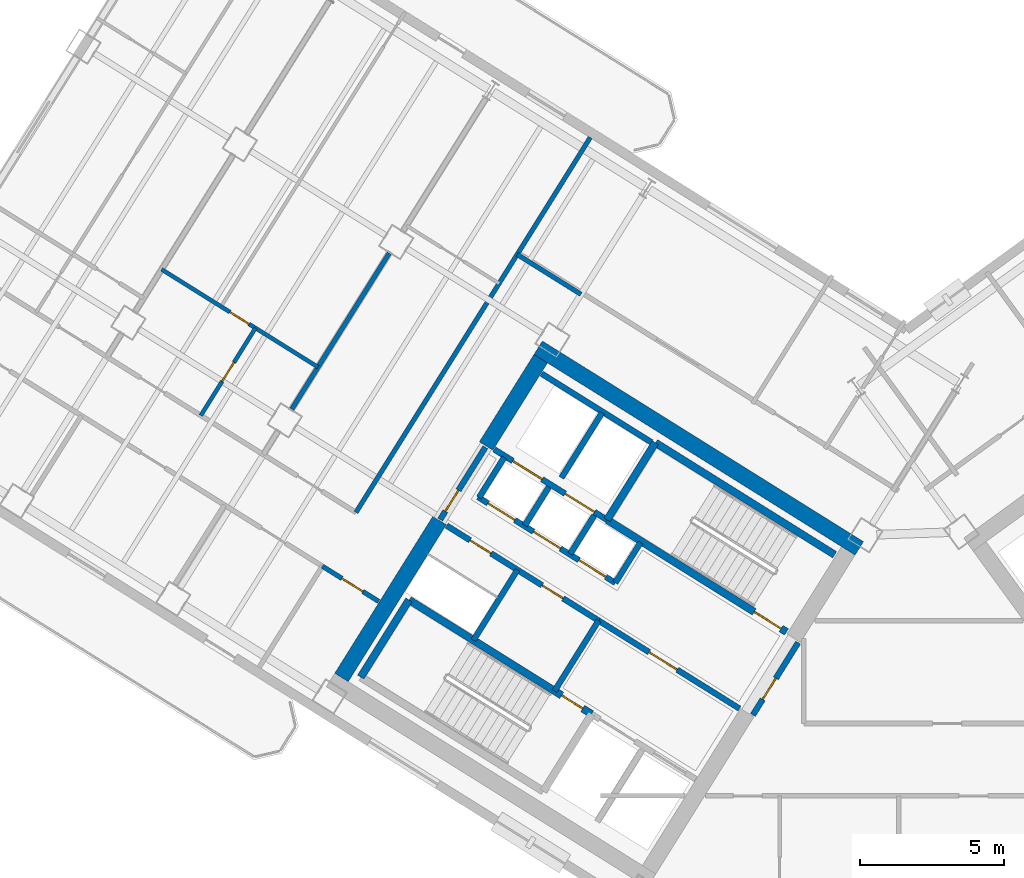
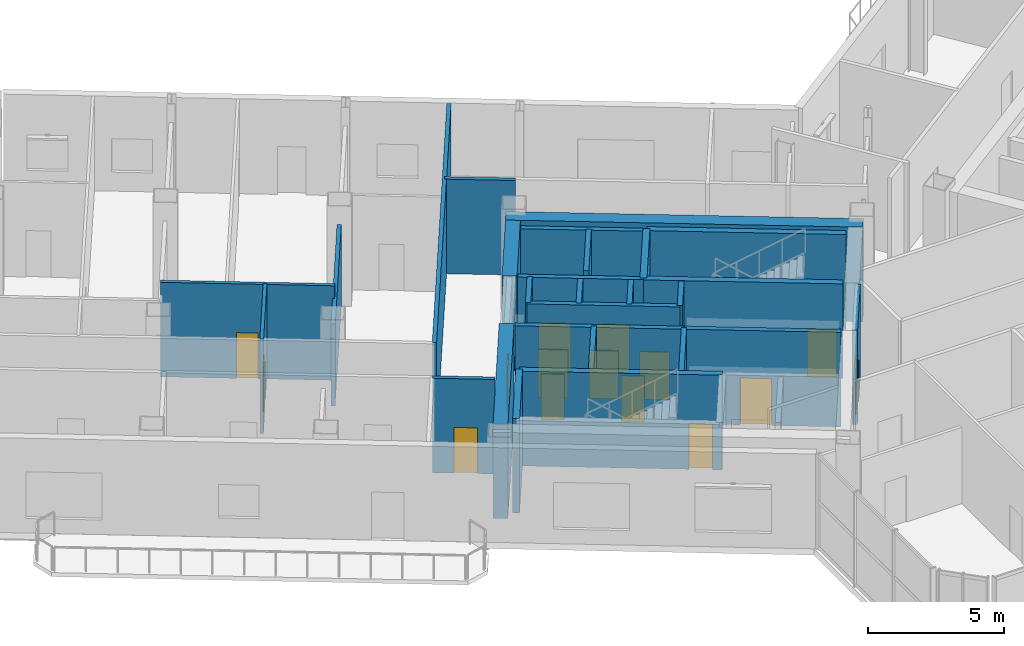
# One storey, part 12 of 21: 28 walls, 15 doors, 15 openings.
"""IFC4 building model written with IfcOpenShell, lengths in metres."""

import ifcopenshell
import ifcopenshell.guid

model = None  # the IFC model being written
_history = None  # IfcOwnerHistory: only IFC2X3 demands one
_inside = {}  # id of a spatial element -> (the spatial element, [elements in it])
_under = {}  # id of a project, library or spatial element -> (it, [spatial elements below it])
_declared = {}  # id of a project -> (the project, [libraries it declares])
_typed = {}  # id of a type object -> (the type object, [elements of that type])
_made_of = {}  # id of a material, layer set ... -> (it, [elements and type objects made of it])


def new_model(schema):
    """Start an empty IFC model of exactly this schema.

    Asked for "IFC4X3", IfcOpenShell would pick the latest addendum, in which some entities
    have other attributes; the version numbers below select the first issue.
    IFC2X3 requires an IfcOwnerHistory on every rooted entity: one is made here for all.
    """
    global model, _history
    if schema == "IFC4X3":
        model = ifcopenshell.file(schema_version=(4, 3, 0, 0))
    else:
        model = ifcopenshell.file(schema=schema)
    _inside.clear()
    _under.clear()
    _declared.clear()
    _typed.clear()
    _made_of.clear()
    _history = None
    if model.schema == "IFC2X3":
        org = make("IfcOrganization", Name="unknown")
        user = make(
            "IfcPersonAndOrganization",
            ThePerson=make("IfcPerson", FamilyName="unknown"),
            TheOrganization=org,
        )
        app = make(
            "IfcApplication",
            ApplicationDeveloper=org,
            Version="unknown",
            ApplicationFullName="unknown",
            ApplicationIdentifier="unknown",
        )
        _history = make(
            "IfcOwnerHistory",
            OwningUser=user,
            OwningApplication=app,
            ChangeAction="ADDED",
            CreationDate=0,
        )
    return model


def make(cls, **values):
    """One entity of the class cls with the attributes given. An attribute that is None is left unset."""
    return model.create_entity(
        cls, **{name: value for name, value in values.items() if value is not None}
    )


def rooted(cls, **values):
    """An entity with a GlobalId (a new one), such as an element, a storey or a relation."""
    return make(cls, GlobalId=ifcopenshell.guid.new(), OwnerHistory=_history, **values)


def si_unit(unit_type, name, prefix=None):
    """IfcSIUnit, for example si_unit("LENGTHUNIT", "METRE", prefix="MILLI")."""
    return make("IfcSIUnit", UnitType=unit_type, Prefix=prefix, Name=name)


def assignment(units):
    """IfcUnitAssignment: the units of a project."""
    return None if units is None else make("IfcUnitAssignment", Units=units)


def point(xyz):
    """IfcCartesianPoint."""
    return None if xyz is None else make("IfcCartesianPoint", Coordinates=xyz)


def direction(xyz):
    """IfcDirection."""
    return None if xyz is None else make("IfcDirection", DirectionRatios=xyz)


def frame(location, z_axis=None, x_axis=None):
    """IfcAxis2Placement3D, a coordinate frame: its origin and axes. An axis left out is left unset."""
    return make(
        "IfcAxis2Placement3D",
        Location=point(location),
        Axis=direction(z_axis),
        RefDirection=direction(x_axis),
    )


def frame_2d(location, x_axis=None):
    """IfcAxis2Placement2D, a coordinate frame in the plane: its origin and x axis."""
    return make(
        "IfcAxis2Placement2D", Location=point(location), RefDirection=direction(x_axis)
    )


def origin():
    """The frame at (0, 0, 0) with its axes left unset."""
    return frame((0.0, 0.0, 0.0))


def place(relative_to, where):
    """IfcLocalPlacement: puts the frame where relative to a parent placement (None: the world)."""
    return make(
        "IfcLocalPlacement", PlacementRelTo=relative_to, RelativePlacement=where
    )


def context(
    kind, dimensions, precision=None, world=None, true_north=None, identifier=None
):
    """IfcGeometricRepresentationContext, for example the 3D "Model" context."""
    return make(
        "IfcGeometricRepresentationContext",
        ContextIdentifier=identifier,
        ContextType=kind,
        CoordinateSpaceDimension=dimensions,
        Precision=precision,
        WorldCoordinateSystem=world,
        TrueNorth=true_north,
    )


def subcontext(parent, identifier, kind, view, scale=None):
    """IfcGeometricRepresentationSubContext, for example "Body" below "Model"."""
    return make(
        "IfcGeometricRepresentationSubContext",
        ContextIdentifier=identifier,
        ContextType=kind,
        ParentContext=parent,
        TargetScale=scale,
        TargetView=view,
    )


def project(units=None, contexts=None):
    """IfcProject with its units and contexts."""
    return rooted(
        "IfcProject",
        Name="project",
        RepresentationContexts=contexts,
        UnitsInContext=assignment(units),
    )


def spatial(cls, under=None, at=None, **own):
    """A site, building, storey or space (cls), placed at a placement, below another one or the project."""
    s = rooted(cls, ObjectPlacement=at, **own)
    if under is not None:
        _under.setdefault(under.id(), (under, []))[1].append(s)
    return s


def profile(cls, at=None, kind="AREA", **sizes):
    """A parametric profile (cls). Its sizes go by their IFC names, for example OverallWidth=200.0."""
    return make(cls, ProfileType=kind, Position=at, **sizes)


def rectangle(**sizes):
    """IfcRectangleProfileDef."""
    return profile("IfcRectangleProfileDef", **sizes)


def extrude(swept, where, along, depth):
    """IfcExtrudedAreaSolid: the profile swept, set in the frame where, extruded along a direction by depth."""
    return make(
        "IfcExtrudedAreaSolid",
        SweptArea=swept,
        Position=where,
        ExtrudedDirection=direction(along),
        Depth=depth,
    )


def shape(context_of_items, identifier, shape_type, items):
    """IfcShapeRepresentation: the items that make up one representation, for example the "Body"."""
    return make(
        "IfcShapeRepresentation",
        ContextOfItems=context_of_items,
        RepresentationIdentifier=identifier,
        RepresentationType=shape_type,
        Items=items,
    )


def source(mapping_origin, context_of_items, identifier, shape_type, items):
    """IfcRepresentationMap: a shape defined once, which mapped items show again and again."""
    return make(
        "IfcRepresentationMap",
        MappingOrigin=mapping_origin,
        MappedRepresentation=shape(context_of_items, identifier, shape_type, items),
    )


def transform(
    local_origin,
    x_axis=None,
    y_axis=None,
    z_axis=None,
    scale=None,
    scale2=None,
    scale3=None,
    uniform=True,
):
    """IfcCartesianTransformationOperator3D, or its non-uniform kind. x_axis, y_axis, z_axis: its Axis1, 2, 3."""
    if uniform:
        return make(
            "IfcCartesianTransformationOperator3D",
            Axis1=direction(x_axis),
            Axis2=direction(y_axis),
            LocalOrigin=point(local_origin),
            Scale=scale,
            Axis3=direction(z_axis),
        )
    return make(
        "IfcCartesianTransformationOperator3DnonUniform",
        Axis1=direction(x_axis),
        Axis2=direction(y_axis),
        LocalOrigin=point(local_origin),
        Scale=scale,
        Axis3=direction(z_axis),
        Scale2=scale2,
        Scale3=scale3,
    )


def mapped(mapping_source, mapping_target):
    """IfcMappedItem: shows the shape of a source again, moved by a transform."""
    return make(
        "IfcMappedItem", MappingSource=mapping_source, MappingTarget=mapping_target
    )


def material(Name=None, Category=None):
    """IfcMaterial."""
    return make("IfcMaterial", Name=Name, Category=Category)


def layer(
    of_material, thickness, ventilated=None, Name=None, Category=None, Priority=None
):
    """IfcMaterialLayer: one layer of a wall or slab, of a material (None: an air gap)."""
    return make(
        "IfcMaterialLayer",
        Material=of_material,
        LayerThickness=thickness,
        IsVentilated=ventilated,
        Name=Name,
        Category=Category,
        Priority=Priority,
    )


def layer_set(layers, Name=None):
    """IfcMaterialLayerSet."""
    return make("IfcMaterialLayerSet", MaterialLayers=layers, LayerSetName=Name)


def made_of(thing, what):
    """Note that an element or type object is made of a material, layer set ...; save() writes the relation."""
    if what is not None:
        _made_of.setdefault(what.id(), (what, []))[1].append(thing)
    return thing


def type_object(cls, material=None, **own):
    """A type object (cls), such as IfcWallType, which elements share."""
    return made_of(rooted(cls, **own), material)


def element(
    cls,
    number,
    at=None,
    inside=None,
    cuts=None,
    type_object=None,
    material=None,
    context=None,
    identifier="Body",
    shape_type=None,
    held_by="IfcProductDefinitionShape",
    body=None,
    shapes=None,
    **own,
):
    """One element of the class cls, such as IfcWall. Its Tag is "e" and its number.

    at: its placement. inside: the storey or other place that contains it. cuts: it is an
    opening in that element (IfcRelVoidsElement). A single representation is given by context,
    identifier, shape_type and body (its items); several are given by shapes. held_by: the class
    of the entity that holds the representations. save() writes the other relations.
    """
    e = rooted(cls, Tag="e%d" % number, ObjectPlacement=at, **own)
    if body is not None:
        shapes = [shape(context, identifier, shape_type, body)]
    if shapes is not None:
        e.Representation = make(held_by, Representations=shapes)
    if inside is not None:
        _inside.setdefault(inside.id(), (inside, []))[1].append(e)
    if cuts is not None:
        rooted(
            "IfcRelVoidsElement", RelatingBuildingElement=cuts, RelatedOpeningElement=e
        )
    if type_object is not None:
        _typed.setdefault(type_object.id(), (type_object, []))[1].append(e)
    return made_of(e, material)


def fill(opening, filler):
    """IfcRelFillsElement: the door or window that sits in an opening."""
    return rooted(
        "IfcRelFillsElement",
        RelatingOpeningElement=opening,
        RelatedBuildingElement=filler,
    )


def aggregate(whole, parts):
    """IfcRelAggregates: a whole, such as a stair, and the parts it consists of."""
    return rooted("IfcRelAggregates", RelatingObject=whole, RelatedObjects=parts)


def save(model, path):
    """Write the relations noted so far, then the file.

    IfcRelAggregates (storeys below a building ...), IfcRelContainedInSpatialStructure (elements
    in a storey), IfcRelDefinesByType, IfcRelAssociatesMaterial and IfcRelDeclares: one each for
    every whole, place, type object, material and project.
    """
    for whole, parts in _under.values():
        aggregate(whole, parts)
    for where, things in _inside.values():
        rooted(
            "IfcRelContainedInSpatialStructure",
            RelatedElements=things,
            RelatingStructure=where,
        )
    for kind, things in _typed.values():
        rooted("IfcRelDefinesByType", RelatedObjects=things, RelatingType=kind)
    for what, things in _made_of.values():
        rooted("IfcRelAssociatesMaterial", RelatedObjects=things, RelatingMaterial=what)
    for by, libraries in _declared.values():
        rooted("IfcRelDeclares", RelatingContext=by, RelatedDefinitions=libraries)
    model.write(path)


model = new_model("IFC4")

# Units and contexts
model_context = context("Model", 3, precision=1e-05, world=origin(), true_north=direction((0.0, 1.0)))
body_context = subcontext(model_context, "Body", "Model", "MODEL_VIEW")
ifc_project = project(units=[si_unit("LENGTHUNIT", "METRE"), si_unit("AREAUNIT", "SQUARE_METRE"), si_unit("VOLUMEUNIT", "CUBIC_METRE"), si_unit("PLANEANGLEUNIT", "RADIAN"), si_unit("MASSUNIT", "GRAM", prefix="KILO")], contexts=[model_context])

# Site, building, storey
site_placement = place(None, origin())
site = spatial("IfcSite", under=ifc_project, at=site_placement, CompositionType="ELEMENT")
building_placement = place(site_placement, origin())
building = spatial("IfcBuilding", under=site, at=building_placement, Name="Tlacorven Tower", CompositionType="ELEMENT")
storey_placement = place(building_placement, frame((0.0, 0.0, 100.800048828125)))
storey = spatial("IfcBuildingStorey", under=building, at=storey_placement, Name="L25", CompositionType="ELEMENT", Elevation=100.800048828125)

# Walls
ifc_material_1 = material(Name="Concrete C60/75", Category="concrete")
ifc_layer_1 = layer(ifc_material_1, 0.550048828125)
ifc_layer_set_1 = layer_set([ifc_layer_1], Name="Concrete C60/75")
wall_type_1 = type_object("IfcWallType", Name="WL-COR-550", PredefinedType="SHEAR", material=ifc_layer_set_1)
wall_1_placement = place(storey_placement, frame((40.572998046875, 24.010009765625, 0.0), z_axis=(0.0, 0.0, 1.0), x_axis=(-0.848047359947, 0.529920442413, 0.0)))
element("IfcWall", 1, at=wall_1_placement, inside=storey, type_object=wall_type_1, Name="L25 W core shear wall S1", PredefinedType="SHEAR", context=body_context, shape_type="SweptSolid", body=[
    extrude(rectangle(XDim=13.139892578125, YDim=0.550048828125, at=frame_2d((6.56982421875, 0.0))), origin(), (0.0, 0.0, 1.0), 4.25),
])
wall_2_placement = place(storey_placement, frame((29.517333984375, 30.59423828125, 0.0), z_axis=(0.0, 0.0, 1.0), x_axis=(-0.529906864564, -0.848055844204, 0.0)))
element("IfcWall", 2, at=wall_2_placement, inside=storey, type_object=wall_type_1, Name="L25 W core end wall E2.1", PredefinedType="SHEAR", context=body_context, shape_type="SweptSolid", body=[
    extrude(rectangle(XDim=3.5751953125, YDim=0.550048828125, at=frame_2d((1.78759765625, 0.0))), origin(), (0.0, 0.0, 1.0), 4.25),
])
wall_3_placement = place(storey_placement, frame((26.006591796875, 24.975830078125, 0.0), z_axis=(0.0, 0.0, 1.0), x_axis=(-0.529923795287, -0.848045264823, 0.0)))
element("IfcWall", 3, at=wall_3_placement, inside=storey, type_object=wall_type_1, Name="L25 W core end wall E2.2", PredefinedType="SHEAR", context=body_context, shape_type="SweptSolid", body=[
    extrude(rectangle(XDim=6.425048828125, YDim=0.550048828125, at=frame_2d((3.21240234375, 0.0))), origin(), (0.0, 0.0, 1.0), 4.25),
])
ifc_material_2 = material(Name="Gypsum plasterboard acoustic partition", Category="gypsum")
ifc_layer_2 = layer(ifc_material_2, 0.159912109375)
ifc_layer_set_2 = layer_set([ifc_layer_2], Name="Gypsum plasterboard acoustic partition")
wall_type_2 = type_object("IfcWallType", Name="WL-DEM-160", PredefinedType="PARTITIONING", material=ifc_layer_set_2)
wall_4_placement = place(storey_placement, frame((30.91357421875, 32.82861328125, 0.0), z_axis=(0.0, 0.0, 1.0), x_axis=(-0.848008813643, 0.529982124211, 0.0)))
element("IfcWall", 4, at=wall_4_placement, inside=storey, type_object=wall_type_2, Name="L25 partition 47", PredefinedType="PARTITIONING", context=body_context, shape_type="SweptSolid", body=[
    extrude(rectangle(XDim=2.610107421875, YDim=0.159912109375, at=frame_2d((1.30517578125, 0.0))), origin(), (0.0, 0.0, 1.0), 4.239990234375),
])

# Wall, opening, door
wall_5_placement = place(storey_placement, frame((23.895751953125, 22.167724609375, 0.0), z_axis=(0.0, 0.0, 1.0), x_axis=(-0.848075553449, 0.529875320846, 0.0)))
wall_5 = element("IfcWall", 5, at=wall_5_placement, inside=storey, type_object=wall_type_2, Name="L25 partition 48", PredefinedType="PARTITIONING", context=body_context, shape_type="SweptSolid", body=[
    extrude(rectangle(XDim=2.307861328125, YDim=0.159912109375, at=frame_2d((1.15380859375, 0.0))), origin(), (0.0, 0.0, 1.0), 4.239990234375),
])
opening_1_placement = place(wall_5_placement, frame((0.64794921875, 0.0, 0.0)))
opening_1 = element("IfcOpeningElement", 6, at=opening_1_placement, cuts=wall_5, Name="Opening D19", PredefinedType="OPENING", context=body_context, shape_type="SweptSolid", body=[
    extrude(rectangle(XDim=0.860107421875, YDim=2.050048828125, at=frame_2d((0.43017578125, 1.02490234375))), frame((0.0, 0.08984375, 0.0), z_axis=(0.0, -1.0, 0.0), x_axis=(1.0, 0.0, 0.0)), (0.0, 0.0, 1.0), 0.179931640625),
])
ifc_material_3 = material(Name="Fire-rated steel door assembly", Category="steel")
door_type_1 = type_object("IfcDoorType", Name="DR-RSR-FD60-0860", OperationType="NOTDEFINED", PredefinedType="DOOR", material=ifc_material_3)
shared_shape_1 = source(origin(), body_context, "Body", "SweptSolid", [
    extrude(rectangle(XDim=0.860107421875, YDim=2.050048828125, at=frame_2d((0.43017578125, 1.02490234375))), frame((0.0, 0.02490234375, 0.0), z_axis=(0.0, -1.0, 0.0), x_axis=(1.0, 0.0, 0.0)), (0.0, 0.0, 1.0), 0.050048828125),
])
door_1_placement = place(opening_1_placement, origin())
door_1 = element("IfcDoor", 7, at=door_1_placement, inside=storey, type_object=door_type_1, Name="L25 door 025", OperationType="SINGLE_SWING_LEFT", OverallHeight=2.050048828125, OverallWidth=0.860107421875, PredefinedType="DOOR", context=body_context, shape_type="MappedRepresentation", body=[
    mapped(shared_shape_1, transform((0.0, 0.0, 0.0), scale=1.0)),
])
fill(opening_1, door_1)

# Walls
wall_6_placement = place(storey_placement, frame((31.238525390625, 38.27392578125, 0.0), z_axis=(0.0, 0.0, 1.0), x_axis=(-0.529918877109, -0.848048338059, 0.0)))
element("IfcWall", 8, at=wall_6_placement, inside=storey, type_object=wall_type_2, Name="L25 partition 49", PredefinedType="PARTITIONING", context=body_context, shape_type="SweptSolid", body=[
    extrude(rectangle(XDim=15.35009765625, YDim=0.159912109375, at=frame_2d((7.675048828125, 0.0))), origin(), (0.0, 0.0, 1.0), 4.239990234375),
])
wall_7_placement = place(storey_placement, frame((24.255615234375, 34.2509765625, 0.0), z_axis=(0.0, 0.0, 1.0), x_axis=(-0.529919772691, -0.848047778437, 0.0)))
element("IfcWall", 9, at=wall_7_placement, inside=storey, type_object=wall_type_2, Name="L25 WS Demising Wall 1", PredefinedType="PARTITIONING", context=body_context, shape_type="SweptSolid", body=[
    extrude(rectangle(XDim=6.375732421875, YDim=0.159912109375, at=frame_2d((3.18798828125, 0.0))), origin(), (0.0, 0.0, 1.0), 3.675048828125),
])

# Wall, opening, door
ifc_material_4 = material(Name="Moisture-resistant gypsum plumbing wall", Category="gypsum")
ifc_layer_3 = layer(ifc_material_4, 0.139892578125)
ifc_layer_set_3 = layer_set([ifc_layer_3], Name="Moisture-resistant gypsum plumbing wall")
wall_type_3 = type_object("IfcWallType", Name="WL-PLM-140", PredefinedType="PLUMBINGWALL", material=ifc_layer_set_3)
wall_8_placement = place(storey_placement, frame((21.787353515625, 30.30078125, 0.0), z_axis=(0.0, 0.0, 1.0), x_axis=(-0.848049732085, 0.529916646191, 0.0)))
wall_8 = element("IfcWall", 10, at=wall_8_placement, inside=storey, type_object=wall_type_3, Name="L25 partition 59", PredefinedType="PLUMBINGWALL", context=body_context, shape_type="SweptSolid", body=[
    extrude(rectangle(XDim=6.400146484375, YDim=0.139892578125, at=frame_2d((3.2001953125, 0.0))), origin(), (0.0, 0.0, 1.0), 4.239990234375),
])
opening_2_placement = place(wall_8_placement, frame((2.823974609375, 0.0, 0.0)))
opening_2 = element("IfcOpeningElement", 11, at=opening_2_placement, cuts=wall_8, Name="Opening D22", PredefinedType="OPENING", context=body_context, shape_type="SweptSolid", body=[
    extrude(rectangle(XDim=0.780029296875, YDim=2.050048828125, at=frame_2d((0.39013671875, 1.02490234375))), frame((0.0, 0.080078125, 0.0), z_axis=(0.0, -1.0, 0.0), x_axis=(1.0, 0.0, 0.0)), (0.0, 0.0, 1.0), 0.159912109375),
])
ifc_material_5 = material(Name="Powder-coated aluminium and timber door", Category="wood")
door_type_2 = type_object("IfcDoorType", Name="DR-INT-WET-0780", OperationType="NOTDEFINED", PredefinedType="DOOR", material=ifc_material_5)
shared_shape_2 = source(origin(), body_context, "Body", "SweptSolid", [
    extrude(rectangle(XDim=0.780029296875, YDim=2.050048828125, at=frame_2d((0.39013671875, 1.02490234375))), frame((0.0, 0.02490234375, 0.0), z_axis=(0.0, -1.0, 0.0), x_axis=(1.0, 0.0, 0.0)), (0.0, 0.0, 1.0), 0.050048828125),
])
door_2_placement = place(opening_2_placement, origin())
door_2 = element("IfcDoor", 12, at=door_2_placement, inside=storey, type_object=door_type_2, Name="L25 door 034", OperationType="SINGLE_SWING_LEFT", OverallHeight=2.050048828125, OverallWidth=0.780029296875, PredefinedType="DOOR", context=body_context, shape_type="MappedRepresentation", body=[
    mapped(shared_shape_2, transform((0.0, 0.0, 0.0), scale=1.0)),
])
fill(opening_2, door_2)

wall_9_placement = place(storey_placement, frame((19.6162109375, 31.657470703125, 0.0), z_axis=(0.0, 0.0, 1.0), x_axis=(-0.529876336437, -0.84807491891, 0.0)))
wall_9 = element("IfcWall", 13, at=wall_9_placement, inside=storey, type_object=wall_type_3, Name="L25 partition 60", PredefinedType="PLUMBINGWALL", context=body_context, shape_type="SweptSolid", body=[
    extrude(rectangle(XDim=3.580078125, YDim=0.139892578125, at=frame_2d((1.7900390625, 0.0))), origin(), (0.0, 0.0, 1.0), 4.239990234375),
])
opening_3_placement = place(wall_9_placement, frame((1.39990234375, 0.0, 0.0)))
opening_3 = element("IfcOpeningElement", 14, at=opening_3_placement, cuts=wall_9, Name="Opening D22", PredefinedType="OPENING", context=body_context, shape_type="SweptSolid", body=[
    extrude(rectangle(XDim=0.780029296875, YDim=2.050048828125, at=frame_2d((0.39013671875, 1.02490234375))), frame((0.0, 0.080078125, 0.0), z_axis=(0.0, -1.0, 0.0), x_axis=(1.0, 0.0, 0.0)), (0.0, 0.0, 1.0), 0.159912109375),
])
door_3_placement = place(opening_3_placement, origin())
door_3 = element("IfcDoor", 15, at=door_3_placement, inside=storey, type_object=door_type_2, Name="L25 door 035", OperationType="SINGLE_SWING_RIGHT", OverallHeight=2.050048828125, OverallWidth=0.780029296875, PredefinedType="DOOR", context=body_context, shape_type="MappedRepresentation", body=[
    mapped(shared_shape_2, transform((0.0, 0.0, 0.0), scale=1.0)),
])
fill(opening_3, door_3)

ifc_material_6 = material(Name="Concrete C40/50", Category="concrete")
ifc_layer_4 = layer(ifc_material_6, 0.199951171875)
ifc_layer_set_4 = layer_set([ifc_layer_4], Name="Concrete C40/50")
wall_type_4 = type_object("IfcWallType", Name="WL-SHF-200", PredefinedType="STANDARD", material=ifc_layer_set_4)
wall_10_placement = place(storey_placement, frame((36.416748046875, 18.447265625, 0.0), z_axis=(0.0, 0.0, 1.0), x_axis=(-0.848064879198, 0.529892404805, 0.0)))
wall_10 = element("IfcWall", 16, at=wall_10_placement, inside=storey, type_object=wall_type_4, Name="L25 Core W Smoke Lobby Wall", PredefinedType="STANDARD", context=body_context, shape_type="SweptSolid", body=[
    extrude(rectangle(XDim=5.76806640625, YDim=0.199951171875, at=frame_2d((2.884033203125, 0.0))), origin(), (0.0, 0.0, 1.0), 4.239990234375),
])
opening_4_placement = place(wall_10_placement, frame((2.548095703125, 0.0, 0.0)))
opening_4 = element("IfcOpeningElement", 17, at=opening_4_placement, cuts=wall_10, Name="Opening D09", PredefinedType="OPENING", context=body_context, shape_type="SweptSolid", body=[
    extrude(rectangle(XDim=1.14990234375, YDim=2.10009765625, at=frame_2d((0.574951171875, 1.050048828125))), frame((0.0, 0.10986328125, 0.0), z_axis=(0.0, -1.0, 0.0), x_axis=(1.0, 0.0, 0.0)), (0.0, 0.0, 1.0), 0.219970703125),
])
door_type_3 = type_object("IfcDoorType", Name="DR-FFL-FD60-1150", OperationType="NOTDEFINED", PredefinedType="DOOR", material=ifc_material_3)
shared_shape_3 = source(origin(), body_context, "Body", "SweptSolid", [
    extrude(rectangle(XDim=1.14990234375, YDim=2.10009765625, at=frame_2d((0.574951171875, 1.050048828125))), frame((0.0, 0.02490234375, 0.0), z_axis=(0.0, -1.0, 0.0), x_axis=(1.0, 0.0, 0.0)), (0.0, 0.0, 1.0), 0.050048828125),
])
door_4_placement = place(opening_4_placement, origin())
door_4 = element("IfcDoor", 18, at=door_4_placement, inside=storey, type_object=door_type_3, Name="L25 Firefighting Lobby W Fire Door", OperationType="SINGLE_SWING_LEFT", OverallHeight=2.10009765625, OverallWidth=1.14990234375, PredefinedType="DOOR", context=body_context, shape_type="MappedRepresentation", body=[
    mapped(shared_shape_3, transform((0.0, 0.0, 0.0), scale=1.0)),
])
fill(opening_4, door_4)

# Wall, openings, doors
wall_11_placement = place(storey_placement, frame((31.82177734375, 24.99755859375, 0.0), z_axis=(0.0, 0.0, 1.0), x_axis=(-0.848036912365, 0.52993716162, 0.0)))
wall_11 = element("IfcWall", 19, at=wall_11_placement, inside=storey, type_object=wall_type_4, Name="L25 Core W South Lift Shaft Wall", PredefinedType="STANDARD", context=body_context, shape_type="SweptSolid", body=[
    extrude(rectangle(XDim=4.617919921875, YDim=0.199951171875, at=frame_2d((2.30908203125, 0.0))), origin(), (0.0, 0.0, 1.0), 4.239990234375),
])
opening_5_placement = place(wall_11_placement, frame((0.52001953125, 0.0, 0.0)))
opening_5 = element("IfcOpeningElement", 20, at=opening_5_placement, cuts=wall_11, Name="Opening LD02", PredefinedType="OPENING", context=body_context, shape_type="SweptSolid", body=[
    extrude(rectangle(XDim=1.199951171875, YDim=2.14990234375, at=frame_2d((0.60009765625, 1.074951171875))), frame((0.0, 0.10986328125, 0.0), z_axis=(0.0, -1.0, 0.0), x_axis=(1.0, 0.0, 0.0)), (0.0, 0.0, 1.0), 0.219970703125),
])
opening_6_placement = place(wall_11_placement, frame((2.659912109375, 0.0, 0.0)))
opening_6 = element("IfcOpeningElement", 21, at=opening_6_placement, cuts=wall_11, Name="Opening LD02", PredefinedType="OPENING", context=body_context, shape_type="SweptSolid", body=[
    extrude(rectangle(XDim=1.199951171875, YDim=2.14990234375, at=frame_2d((0.60009765625, 1.074951171875))), frame((0.0, 0.10986328125, 0.0), z_axis=(0.0, -1.0, 0.0), x_axis=(1.0, 0.0, 0.0)), (0.0, 0.0, 1.0), 0.219970703125),
])
door_type_4 = type_object("IfcDoorType", Name="DR-LFT-SLID-1200", OperationType="DOUBLE_DOOR_SLIDING", PredefinedType="DOOR", material=ifc_material_3)
shared_shape_4 = source(origin(), body_context, "Body", "SweptSolid", [
    extrude(rectangle(XDim=1.199951171875, YDim=2.14990234375, at=frame_2d((0.60009765625, 1.074951171875))), frame((0.0, 0.02490234375, 0.0), z_axis=(0.0, -1.0, 0.0), x_axis=(1.0, 0.0, 0.0)), (0.0, 0.0, 1.0), 0.050048828125),
])
door_5_placement = place(opening_5_placement, origin())
door_5 = element("IfcDoor", 22, at=door_5_placement, inside=storey, type_object=door_type_4, Name="L25 Lift PL-H1 Sliding Landing Door", OperationType="DOUBLE_DOOR_SLIDING", OverallHeight=2.14990234375, OverallWidth=1.199951171875, PredefinedType="DOOR", context=body_context, shape_type="MappedRepresentation", body=[
    mapped(shared_shape_4, transform((0.0, 0.0, 0.0), scale=1.0)),
])
fill(opening_5, door_5)
door_6_placement = place(opening_6_placement, origin())
door_6 = element("IfcDoor", 23, at=door_6_placement, inside=storey, type_object=door_type_4, Name="L25 Lift PL-H2 Sliding Landing Door", OperationType="DOUBLE_DOOR_SLIDING", OverallHeight=2.14990234375, OverallWidth=1.199951171875, PredefinedType="DOOR", context=body_context, shape_type="MappedRepresentation", body=[
    mapped(shared_shape_4, transform((0.0, 0.0, 0.0), scale=1.0)),
])
fill(opening_6, door_6)

wall_12_placement = place(storey_placement, frame((32.108154296875, 22.81396484375, 0.0), z_axis=(0.0, 0.0, 1.0), x_axis=(-0.848042229521, 0.529928652696, 0.0)))
wall_12 = element("IfcWall", 24, at=wall_12_placement, inside=storey, type_object=wall_type_4, Name="L25 partition 11", PredefinedType="STANDARD", context=body_context, shape_type="SweptSolid", body=[
    extrude(rectangle(XDim=5.6201171875, YDim=0.199951171875, at=frame_2d((2.81005859375, 0.0))), origin(), (0.0, 0.0, 1.0), 4.239990234375),
])
opening_7_placement = place(wall_12_placement, frame((0.389892578125, 0.0, 0.0)))
opening_7 = element("IfcOpeningElement", 25, at=opening_7_placement, cuts=wall_12, Name="Opening LD01", PredefinedType="OPENING", context=body_context, shape_type="SweptSolid", body=[
    extrude(rectangle(XDim=1.10009765625, YDim=2.14990234375, at=frame_2d((0.550048828125, 1.074951171875))), frame((0.0, 0.10986328125, 0.0), z_axis=(0.0, -1.0, 0.0), x_axis=(1.0, 0.0, 0.0)), (0.0, 0.0, 1.0), 0.219970703125),
])
opening_8_placement = place(wall_12_placement, frame((2.25, 0.0, 0.0)))
opening_8 = element("IfcOpeningElement", 26, at=opening_8_placement, cuts=wall_12, Name="Opening LD01", PredefinedType="OPENING", context=body_context, shape_type="SweptSolid", body=[
    extrude(rectangle(XDim=1.10009765625, YDim=2.14990234375, at=frame_2d((0.550048828125, 1.074951171875))), frame((0.0, 0.10986328125, 0.0), z_axis=(0.0, -1.0, 0.0), x_axis=(1.0, 0.0, 0.0)), (0.0, 0.0, 1.0), 0.219970703125),
])
opening_9_placement = place(wall_12_placement, frame((4.110107421875, 0.0, 0.0)))
opening_9 = element("IfcOpeningElement", 27, at=opening_9_placement, cuts=wall_12, Name="Opening LD01", PredefinedType="OPENING", context=body_context, shape_type="SweptSolid", body=[
    extrude(rectangle(XDim=1.10009765625, YDim=2.14990234375, at=frame_2d((0.550048828125, 1.074951171875))), frame((0.0, 0.10986328125, 0.0), z_axis=(0.0, -1.0, 0.0), x_axis=(1.0, 0.0, 0.0)), (0.0, 0.0, 1.0), 0.219970703125),
])
door_type_5 = type_object("IfcDoorType", Name="DR-LFT-SLID-1100", OperationType="DOUBLE_DOOR_SLIDING", PredefinedType="DOOR", material=ifc_material_3)
shared_shape_5 = source(origin(), body_context, "Body", "SweptSolid", [
    extrude(rectangle(XDim=1.10009765625, YDim=2.14990234375, at=frame_2d((0.550048828125, 1.074951171875))), frame((0.0, 0.02490234375, 0.0), z_axis=(0.0, -1.0, 0.0), x_axis=(1.0, 0.0, 0.0)), (0.0, 0.0, 1.0), 0.050048828125),
])
door_7_placement = place(opening_7_placement, origin())
door_7 = element("IfcDoor", 28, at=door_7_placement, inside=storey, type_object=door_type_5, Name="L25 Lift PL-M1 Sliding Landing Door", OperationType="DOUBLE_DOOR_SLIDING", OverallHeight=2.14990234375, OverallWidth=1.10009765625, PredefinedType="DOOR", context=body_context, shape_type="MappedRepresentation", body=[
    mapped(shared_shape_5, transform((0.0, 0.0, 0.0), scale=1.0)),
])
fill(opening_7, door_7)
door_8_placement = place(opening_8_placement, origin())
door_8 = element("IfcDoor", 29, at=door_8_placement, inside=storey, type_object=door_type_5, Name="L25 Lift PL-M2 Sliding Landing Door", OperationType="DOUBLE_DOOR_SLIDING", OverallHeight=2.14990234375, OverallWidth=1.10009765625, PredefinedType="DOOR", context=body_context, shape_type="MappedRepresentation", body=[
    mapped(shared_shape_5, transform((0.0, 0.0, 0.0), scale=1.0)),
])
fill(opening_8, door_8)
door_9_placement = place(opening_9_placement, origin())
door_9 = element("IfcDoor", 30, at=door_9_placement, inside=storey, type_object=door_type_5, Name="L25 Lift PL-M3 Sliding Landing Door", OperationType="DOUBLE_DOOR_SLIDING", OverallHeight=2.14990234375, OverallWidth=1.10009765625, PredefinedType="DOOR", context=body_context, shape_type="MappedRepresentation", body=[
    mapped(shared_shape_5, transform((0.0, 0.0, 0.0), scale=1.0)),
])
fill(opening_9, door_9)

# Walls
wall_13_placement = place(storey_placement, frame((32.982421875, 24.21337890625, 0.0), z_axis=(0.0, 0.0, 1.0), x_axis=(-0.529839334948, -0.84809803628, 0.0)))
element("IfcWall", 31, at=wall_13_placement, inside=storey, type_object=wall_type_4, Name="L25 partition 12", PredefinedType="STANDARD", context=body_context, shape_type="SweptSolid", body=[
    extrude(rectangle(XDim=1.650146484375, YDim=0.199951171875, at=frame_2d((0.8251953125, 0.0))), origin(), (0.0, 0.0, 1.0), 4.239990234375),
])
wall_14_placement = place(storey_placement, frame((28.250244140625, 27.170166015625, 0.0), z_axis=(0.0, 0.0, 1.0), x_axis=(-0.529905827651, -0.848056492117, 0.0)))
element("IfcWall", 32, at=wall_14_placement, inside=storey, type_object=wall_type_4, Name="L25 partition 13", PredefinedType="STANDARD", context=body_context, shape_type="SweptSolid", body=[
    extrude(rectangle(XDim=1.64990234375, YDim=0.199951171875, at=frame_2d((0.824951171875, 0.0))), origin(), (0.0, 0.0, 1.0), 4.239990234375),
])
wall_15_placement = place(storey_placement, frame((31.645263671875, 28.716064453125, 0.0), z_axis=(0.0, 0.0, 1.0), x_axis=(-0.52986693015, -0.848080795876, 0.0)))
element("IfcWall", 33, at=wall_15_placement, inside=storey, type_object=wall_type_4, Name="L25 partition 15", PredefinedType="STANDARD", context=body_context, shape_type="SweptSolid", body=[
    extrude(rectangle(XDim=2.659912109375, YDim=0.199951171875, at=frame_2d((1.330078125, 0.0))), origin(), (0.0, 0.0, 1.0), 4.239990234375),
])
wall_16_placement = place(storey_placement, frame((33.362548828125, 27.690185546875, 0.0), z_axis=(0.0, 0.0, 1.0), x_axis=(-0.848047090064, 0.529920874315, 0.0)))
element("IfcWall", 34, at=wall_16_placement, inside=storey, type_object=wall_type_4, Name="L25 partition 17", PredefinedType="STANDARD", context=body_context, shape_type="SweptSolid", body=[
    extrude(rectangle(XDim=4.498046875, YDim=0.199951171875, at=frame_2d((2.2490234375, 0.0))), origin(), (0.0, 0.0, 1.0), 4.239990234375),
])
for number, where, z_axis, x_axis, name in (
    (35, (31.378662109375, 25.156494140625, 0.0), (0.0, 0.0, 1.0), (-0.529998940003, -0.847998304005, 0.0), "L25 partition 18"),
    (36, (29.80126953125, 26.14208984375, 0.0), (0.0, 0.0, 1.0), (-0.529998940003, -0.847998304005, 0.0), "L25 partition 19"),
):
    element("IfcWall", number, at=place(storey_placement, frame(where, z_axis=z_axis, x_axis=x_axis)), inside=storey, type_object=wall_type_4, Name=name, PredefinedType="STANDARD", context=body_context, shape_type="SweptSolid", body=[
        extrude(rectangle(XDim=1.580078125, YDim=0.199951171875, at=frame_2d((0.7900390625, 0.0))), origin(), (0.0, 0.0, 1.0), 4.239990234375),
    ])
for number, where, z_axis, x_axis, name in (
    (37, (31.525146484375, 21.503662109375, 0.0), (0.0, 0.0, 1.0), (-0.529907497854, -0.848055448493, 0.0), "L25 partition 20"),
    (38, (28.709716796875, 23.26318359375, 0.0), (0.0, 0.0, 1.0), (-0.529907497854, -0.848055448493, 0.0), "L25 partition 21"),
):
    element("IfcWall", number, at=place(storey_placement, frame(where, z_axis=z_axis, x_axis=x_axis)), inside=storey, type_object=wall_type_4, Name=name, PredefinedType="STANDARD", context=body_context, shape_type="SweptSolid", body=[
        extrude(rectangle(XDim=2.8798828125, YDim=0.199951171875, at=frame_2d((1.43994140625, 0.0))), origin(), (0.0, 0.0, 1.0), 4.239990234375),
    ])

# Wall, openings, doors
wall_17_placement = place(storey_placement, frame((31.525146484375, 21.503662109375, 0.0), z_axis=(0.0, 0.0, 1.0), x_axis=(-0.848040211232, 0.529931882541, 0.0)))
wall_17 = element("IfcWall", 39, at=wall_17_placement, inside=storey, type_object=wall_type_4, Name="L25 Core W North Service Wall", PredefinedType="STANDARD", context=body_context, shape_type="SweptSolid", body=[
    extrude(rectangle(XDim=6.218017578125, YDim=0.199951171875, at=frame_2d((3.10888671875, 0.0))), origin(), (0.0, 0.0, 1.0), 4.239990234375),
])
opening_10_placement = place(wall_17_placement, frame((4.39990234375, 0.0, 0.0)))
opening_10 = element("IfcOpeningElement", 40, at=opening_10_placement, cuts=wall_17, Name="Opening D19", PredefinedType="OPENING", context=body_context, shape_type="SweptSolid", body=[
    extrude(rectangle(XDim=0.860107421875, YDim=2.050048828125, at=frame_2d((0.43017578125, 1.02490234375))), frame((0.0, 0.10986328125, 0.0), z_axis=(0.0, -1.0, 0.0), x_axis=(1.0, 0.0, 0.0)), (0.0, 0.0, 1.0), 0.219970703125),
])
opening_11_placement = place(wall_17_placement, frame((1.449951171875, 0.0, 0.0)))
opening_11 = element("IfcOpeningElement", 41, at=opening_11_placement, cuts=wall_17, Name="Opening D19", PredefinedType="OPENING", context=body_context, shape_type="SweptSolid", body=[
    extrude(rectangle(XDim=0.860107421875, YDim=2.050048828125, at=frame_2d((0.43017578125, 1.02490234375))), frame((0.0, 0.10986328125, 0.0), z_axis=(0.0, -1.0, 0.0), x_axis=(1.0, 0.0, 0.0)), (0.0, 0.0, 1.0), 0.219970703125),
])
door_10_placement = place(opening_10_placement, frame((0.860107421875, 0.0, 0.0), z_axis=(0.0, 0.0, 1.0), x_axis=(-1.0, 0.0, 0.0)))
door_10 = element("IfcDoor", 42, at=door_10_placement, inside=storey, type_object=door_type_1, Name="L25 Electrical Riser Access Door W", OperationType="SINGLE_SWING_RIGHT", OverallHeight=2.050048828125, OverallWidth=0.860107421875, PredefinedType="DOOR", context=body_context, shape_type="MappedRepresentation", body=[
    mapped(shared_shape_1, transform((0.0, 0.0, 0.0), scale=1.0)),
])
fill(opening_10, door_10)
door_11_placement = place(opening_11_placement, frame((0.860107421875, 0.0, 0.0), z_axis=(0.0, 0.0, 1.0), x_axis=(-1.0, 0.0, 0.0)))
door_11 = element("IfcDoor", 43, at=door_11_placement, inside=storey, type_object=door_type_1, Name="L25 Housekeeping Linen Access Door W", OperationType="SINGLE_SWING_LEFT", OverallHeight=2.050048828125, OverallWidth=0.860107421875, PredefinedType="DOOR", context=body_context, shape_type="MappedRepresentation", body=[
    mapped(shared_shape_1, transform((0.0, 0.0, 0.0), scale=1.0)),
])
fill(opening_11, door_11)

# Wall, opening, door
wall_18_placement = place(storey_placement, frame((27.59619140625, 27.52001953125, 0.0), z_axis=(0.0, 0.0, 1.0), x_axis=(-0.529865479138, -0.848081702443, 0.0)))
wall_18 = element("IfcWall", 44, at=wall_18_placement, inside=storey, type_object=wall_type_4, Name="L25 partition 46", PredefinedType="STANDARD", context=body_context, shape_type="SweptSolid", body=[
    extrude(rectangle(XDim=2.9599609375, YDim=0.199951171875, at=frame_2d((1.47998046875, 0.0))), origin(), (0.0, 0.0, 1.0), 4.239990234375),
])
opening_12_placement = place(wall_18_placement, frame((1.760009765625, 0.0, 0.0)))
opening_12 = element("IfcOpeningElement", 45, at=opening_12_placement, cuts=wall_18, Name="Opening D19", PredefinedType="OPENING", context=body_context, shape_type="SweptSolid", body=[
    extrude(rectangle(XDim=0.860107421875, YDim=2.050048828125, at=frame_2d((0.43017578125, 1.02490234375))), frame((0.0, 0.10986328125, 0.0), z_axis=(0.0, -1.0, 0.0), x_axis=(1.0, 0.0, 0.0)), (0.0, 0.0, 1.0), 0.219970703125),
])
door_12_placement = place(opening_12_placement, origin())
door_12 = element("IfcDoor", 46, at=door_12_placement, inside=storey, type_object=door_type_1, Name="L25 door 026", OperationType="SINGLE_SWING_LEFT", OverallHeight=2.050048828125, OverallWidth=0.860107421875, PredefinedType="DOOR", context=body_context, shape_type="MappedRepresentation", body=[
    mapped(shared_shape_1, transform((0.0, 0.0, 0.0), scale=1.0)),
])
fill(opening_12, door_12)

wall_19_placement = place(storey_placement, frame((38.451416015625, 20.737060546875, 0.0), z_axis=(0.0, 0.0, 1.0), x_axis=(-0.529924799939, -0.848044637038, 0.0)))
wall_19 = element("IfcWall", 47, at=wall_19_placement, inside=storey, type_object=wall_type_4, Name="L25 partition 72", PredefinedType="STANDARD", context=body_context, shape_type="SweptSolid", body=[
    extrude(rectangle(XDim=2.9599609375, YDim=0.199951171875, at=frame_2d((1.47998046875, 0.0))), origin(), (0.0, 0.0, 1.0), 4.239990234375),
])
opening_13_placement = place(wall_19_placement, frame((1.4599609375, 0.0, 0.0)))
opening_13 = element("IfcOpeningElement", 48, at=opening_13_placement, cuts=wall_19, Name="Opening D19", PredefinedType="OPENING", context=body_context, shape_type="SweptSolid", body=[
    extrude(rectangle(XDim=0.860107421875, YDim=2.050048828125, at=frame_2d((0.43017578125, 1.02490234375))), frame((0.0, 0.10986328125, 0.0), z_axis=(0.0, -1.0, 0.0), x_axis=(1.0, 0.0, 0.0)), (0.0, 0.0, 1.0), 0.219970703125),
])
door_13_placement = place(opening_13_placement, frame((0.860107421875, 0.0, 0.0), z_axis=(0.0, 0.0, 1.0), x_axis=(-1.0, 0.0, 0.0)))
door_13 = element("IfcDoor", 49, at=door_13_placement, inside=storey, type_object=door_type_1, Name="L25 door 046", OperationType="SINGLE_SWING_LEFT", OverallHeight=2.050048828125, OverallWidth=0.860107421875, PredefinedType="DOOR", context=body_context, shape_type="MappedRepresentation", body=[
    mapped(shared_shape_1, transform((0.0, 0.0, 0.0), scale=1.0)),
])
fill(opening_13, door_13)

ifc_material_7 = material(Name="Concrete C50/60", Category="concrete")
ifc_layer_5 = layer(ifc_material_7, 0.260009765625)
ifc_layer_set_5 = layer_set([ifc_layer_5], Name="Concrete C50/60")
wall_type_5 = type_object("IfcWallType", Name="WL-STW-260", PredefinedType="SHEAR", material=ifc_layer_set_5)
wall_20_placement = place(storey_placement, frame((31.279541015625, 18.26123046875, 0.0), z_axis=(0.0, 0.0, 1.0), x_axis=(-0.848051618787, 0.529913626805, 0.0)))
wall_20 = element("IfcWall", 50, at=wall_20_placement, inside=storey, type_object=wall_type_5, Name="L25 Stair W1 Lobby Shear Wall", PredefinedType="SHEAR", context=body_context, shape_type="SweptSolid", body=[
    extrude(rectangle(XDim=7.4599609375, YDim=0.260009765625, at=frame_2d((3.72998046875, 0.0))), origin(), (0.0, 0.0, 1.0), 4.25),
])
opening_14_placement = place(wall_20_placement, frame((0.360107421875, 0.0, 0.0)))
opening_14 = element("IfcOpeningElement", 51, at=opening_14_placement, cuts=wall_20, Name="Opening D19", PredefinedType="OPENING", context=body_context, shape_type="SweptSolid", body=[
    extrude(rectangle(XDim=0.860107421875, YDim=2.050048828125, at=frame_2d((0.43017578125, 1.02490234375))), frame((0.0, 0.14013671875, 0.0), z_axis=(0.0, -1.0, 0.0), x_axis=(1.0, 0.0, 0.0)), (0.0, 0.0, 1.0), 0.280029296875),
])
door_14_placement = place(opening_14_placement, frame((0.860107421875, 0.0, 0.0), z_axis=(0.0, 0.0, 1.0), x_axis=(-1.0, 0.0, 0.0)))
door_14 = element("IfcDoor", 52, at=door_14_placement, inside=storey, type_object=door_type_1, Name="L25 Exit Stair W1 Fire Door", OperationType="SINGLE_SWING_LEFT", OverallHeight=2.050048828125, OverallWidth=0.860107421875, PredefinedType="DOOR", context=body_context, shape_type="MappedRepresentation", body=[
    mapped(shared_shape_1, transform((0.0, 0.0, 0.0), scale=1.0)),
])
fill(opening_14, door_14)

# Walls
wall_21_placement = place(storey_placement, frame((24.944580078125, 22.2197265625, 0.0), z_axis=(0.0, 0.0, 1.0), x_axis=(-0.529908658664, -0.84805472316, 0.0)))
element("IfcWall", 53, at=wall_21_placement, inside=storey, type_object=wall_type_5, Name="L25 Stair W1 East Shear Wall", PredefinedType="SHEAR", context=body_context, shape_type="SweptSolid", body=[
    extrude(rectangle(XDim=3.16015625, YDim=0.260009765625, at=frame_2d((1.580078125, 0.0))), origin(), (0.0, 0.0, 1.0), 4.25),
])
wall_22_placement = place(storey_placement, frame((39.720947265625, 23.787841796875, 0.0), z_axis=(0.0, 0.0, 1.0), x_axis=(-0.848054434086, 0.529909121291, 0.0)))
element("IfcWall", 54, at=wall_22_placement, inside=storey, type_object=wall_type_5, Name="L25 Stair W2 Far Shear Wall", PredefinedType="SHEAR", context=body_context, shape_type="SweptSolid", body=[
    extrude(rectangle(XDim=7.330078125, YDim=0.260009765625, at=frame_2d((3.6650390625, 0.0))), origin(), (0.0, 0.0, 1.0), 4.25),
])

# Wall, opening, door
wall_23_placement = place(storey_placement, frame((38.04638671875, 21.10791015625, 0.0), z_axis=(0.0, 0.0, 1.0), x_axis=(-0.848054434086, 0.529909121291, 0.0)))
wall_23 = element("IfcWall", 55, at=wall_23_placement, inside=storey, type_object=wall_type_5, Name="L25 Stair W2 Lobby Shear Wall", PredefinedType="SHEAR", context=body_context, shape_type="SweptSolid", body=[
    extrude(rectangle(XDim=7.330078125, YDim=0.260009765625, at=frame_2d((3.6650390625, 0.0))), origin(), (0.0, 0.0, 1.0), 4.25),
])
opening_15_placement = place(wall_23_placement, frame((0.219970703125, 0.0, 0.0)))
opening_15 = element("IfcOpeningElement", 56, at=opening_15_placement, cuts=wall_23, Name="Opening D07", PredefinedType="OPENING", context=body_context, shape_type="SweptSolid", body=[
    extrude(rectangle(XDim=1.10009765625, YDim=2.10009765625, at=frame_2d((0.550048828125, 1.050048828125))), frame((0.0, 0.14013671875, 0.0), z_axis=(0.0, -1.0, 0.0), x_axis=(1.0, 0.0, 0.0)), (0.0, 0.0, 1.0), 0.280029296875),
])
door_type_6 = type_object("IfcDoorType", Name="DR-STR-FD90-1100", OperationType="NOTDEFINED", PredefinedType="DOOR", material=ifc_material_3)
shared_shape_6 = source(origin(), body_context, "Body", "SweptSolid", [
    extrude(rectangle(XDim=1.10009765625, YDim=2.10009765625, at=frame_2d((0.550048828125, 1.050048828125))), frame((0.0, 0.02490234375, 0.0), z_axis=(0.0, -1.0, 0.0), x_axis=(1.0, 0.0, 0.0)), (0.0, 0.0, 1.0), 0.050048828125),
])
door_15_placement = place(opening_15_placement, origin())
door_15 = element("IfcDoor", 57, at=door_15_placement, inside=storey, type_object=door_type_6, Name="L25 Exit Stair W2 Fire Door", OperationType="SINGLE_SWING_RIGHT", OverallHeight=2.10009765625, OverallWidth=1.10009765625, PredefinedType="DOOR", context=body_context, shape_type="MappedRepresentation", body=[
    mapped(shared_shape_6, transform((0.0, 0.0, 0.0), scale=1.0)),
])
fill(opening_15, door_15)

# Wall
wall_24_placement = place(storey_placement, frame((33.496337890625, 27.677490234375, 0.0), z_axis=(0.0, 0.0, 1.0), x_axis=(-0.529908658664, -0.84805472316, 0.0)))
element("IfcWall", 58, at=wall_24_placement, inside=storey, type_object=wall_type_5, Name="L25 Stair W2 East Shear Wall", PredefinedType="SHEAR", context=body_context, shape_type="SweptSolid", body=[
    extrude(rectangle(XDim=3.16015625, YDim=0.260009765625, at=frame_2d((1.580078125, 0.0))), origin(), (0.0, 0.0, 1.0), 4.25),
])

save(model, "model.ifc")
